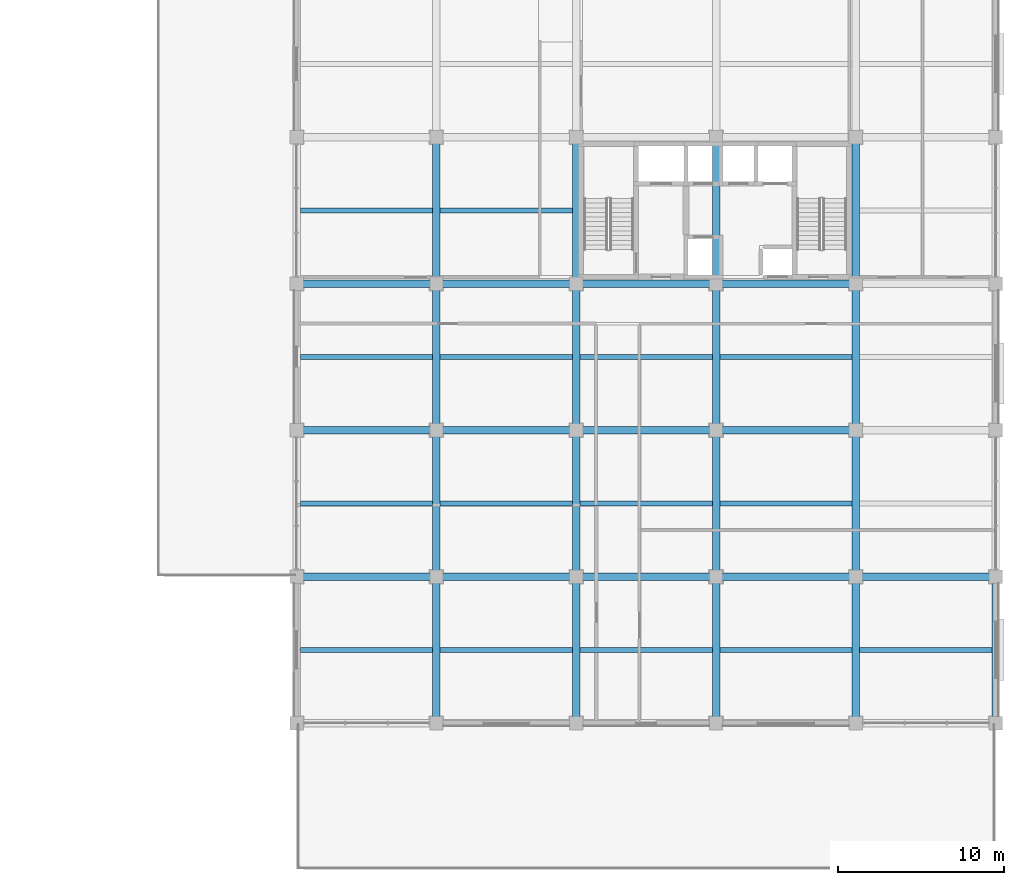
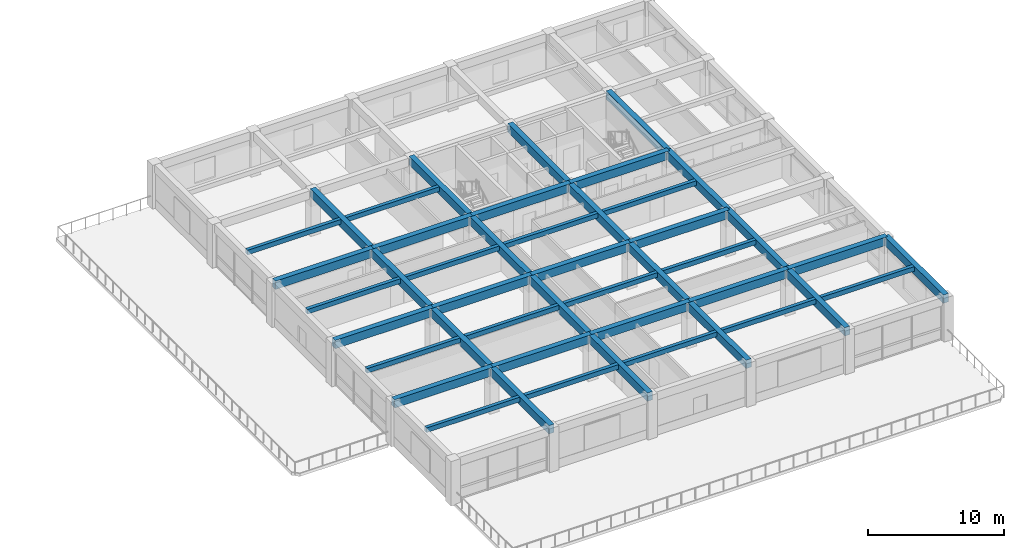
# One storey, part 28 of 49: 45 beams.
"""IFC4 building model written with IfcOpenShell, lengths in metres."""

from ifc_helpers import new_model, si_unit, direction, frame, origin, origin_2d, place, context, subcontext, project, spatial, rectangle, extrude, material, material_profile, profile_set, type_object, element, save


model = new_model("IFC4")

# Units and contexts
model_context = context("Model", 3, precision=1e-05, world=origin(), true_north=direction((0.0, 1.0)))
body_context = subcontext(model_context, "Body", "Model", "MODEL_VIEW")
ifc_project = project(units=[si_unit("LENGTHUNIT", "METRE"), si_unit("AREAUNIT", "SQUARE_METRE"), si_unit("VOLUMEUNIT", "CUBIC_METRE"), si_unit("PLANEANGLEUNIT", "RADIAN"), si_unit("MASSUNIT", "GRAM", prefix="KILO")], contexts=[model_context])

# Site, building, storey
site_placement = place(None, origin())
site = spatial("IfcSite", under=ifc_project, at=site_placement, CompositionType="ELEMENT")
building_placement = place(site_placement, origin())
building = spatial("IfcBuilding", under=site, at=building_placement, Name="Kemercrest Conservatory and Botanical Centre", CompositionType="ELEMENT")
storey_placement = place(building_placement, frame((0.0, 0.0, 13.199951171875)))
storey = spatial("IfcBuildingStorey", under=building, at=storey_placement, Name="L03", CompositionType="ELEMENT", Elevation=13.199951171875)

# Beams
ifc_material = material(Name="Concrete C40/50", Category="concrete")
ifc_material_profile_1 = material_profile(ifc_material, rectangle(XDim=0.449951171875, YDim=0.75, at=origin_2d()), Name="RC 450x750")
ifc_profile_set_1 = profile_set([ifc_material_profile_1], Name="Concrete C40/50")
beam_type_1 = type_object("IfcBeamType", Name="BM-RC75", PredefinedType="BEAM", material=ifc_profile_set_1)
beam_1_placement = place(storey_placement, frame((134.0, 87.199951171875, 3.625), z_axis=(1.0, 0.0, 0.0), x_axis=(0.0, 1.0, 0.0)))
element("IfcBeam", 1, at=beam_1_placement, inside=storey, type_object=beam_type_1, Name="V4-L04 beam BM-RC75 K/16-17", PredefinedType="BEAM", context=body_context, shape_type="SweptSolid", body=[
    extrude(rectangle(XDim=0.449951171875, YDim=0.75, at=origin_2d()), origin(), (0.0, 0.0, 1.0), 8.39990234375),
])
beam_2_placement = place(storey_placement, frame((142.39990234375, 87.199951171875, 3.625), z_axis=(1.0, 0.0, 0.0), x_axis=(0.0, 1.0, 0.0)))
element("IfcBeam", 2, at=beam_2_placement, inside=storey, type_object=beam_type_1, Name="V4-L04 beam BM-RC75 K/17-18", PredefinedType="BEAM", context=body_context, shape_type="SweptSolid", body=[
    extrude(rectangle(XDim=0.449951171875, YDim=0.75, at=origin_2d()), origin(), (0.0, 0.0, 1.0), 8.400146484375),
])
beam_3_placement = place(storey_placement, frame((150.800048828125, 87.199951171875, 3.625), z_axis=(1.0, 0.0, 0.0), x_axis=(0.0, 1.0, 0.0)))
element("IfcBeam", 3, at=beam_3_placement, inside=storey, type_object=beam_type_1, Name="V4-L04 beam BM-RC75 K/18-19", PredefinedType="BEAM", context=body_context, shape_type="SweptSolid", body=[
    extrude(rectangle(XDim=0.449951171875, YDim=0.75, at=origin_2d()), origin(), (0.0, 0.0, 1.0), 8.39990234375),
])
beam_4_placement = place(storey_placement, frame((159.199951171875, 87.199951171875, 3.625), z_axis=(1.0, 0.0, 0.0), x_axis=(0.0, 1.0, 0.0)))
element("IfcBeam", 4, at=beam_4_placement, inside=storey, type_object=beam_type_1, Name="V4-L04 beam BM-RC75 K/19-20", PredefinedType="BEAM", context=body_context, shape_type="SweptSolid", body=[
    extrude(rectangle(XDim=0.449951171875, YDim=0.75, at=origin_2d()), origin(), (0.0, 0.0, 1.0), 8.400146484375),
])
for number, where, z_axis, x_axis, name in (
    (5, (167.60009765625, 87.199951171875, 3.625), (1.0, 0.0, 0.0), (0.0, 1.0, 0.0), "V4-L04 beam BM-RC75 K/20-21"),
    (6, (134.0, 96.0, 3.625), (1.0, 0.0, 0.0), (0.0, 1.0, 0.0), "V4-L04 beam BM-RC75 L/16-17"),
):
    element("IfcBeam", number, at=place(storey_placement, frame(where, z_axis=z_axis, x_axis=x_axis)), inside=storey, type_object=beam_type_1, Name=name, PredefinedType="BEAM", context=body_context, shape_type="SweptSolid", body=[
        extrude(rectangle(XDim=0.449951171875, YDim=0.75, at=origin_2d()), origin(), (0.0, 0.0, 1.0), 8.39990234375),
    ])
beam_5_placement = place(storey_placement, frame((142.39990234375, 96.0, 3.625), z_axis=(1.0, 0.0, 0.0), x_axis=(0.0, 1.0, 0.0)))
element("IfcBeam", 7, at=beam_5_placement, inside=storey, type_object=beam_type_1, Name="V4-L04 beam BM-RC75 L/17-18", PredefinedType="BEAM", context=body_context, shape_type="SweptSolid", body=[
    extrude(rectangle(XDim=0.449951171875, YDim=0.75, at=origin_2d()), origin(), (0.0, 0.0, 1.0), 8.400146484375),
])
beam_6_placement = place(storey_placement, frame((150.800048828125, 96.0, 3.625), z_axis=(1.0, 0.0, 0.0), x_axis=(0.0, 1.0, 0.0)))
element("IfcBeam", 8, at=beam_6_placement, inside=storey, type_object=beam_type_1, Name="V4-L04 beam BM-RC75 L/18-19", PredefinedType="BEAM", context=body_context, shape_type="SweptSolid", body=[
    extrude(rectangle(XDim=0.449951171875, YDim=0.75, at=origin_2d()), origin(), (0.0, 0.0, 1.0), 8.39990234375),
])
beam_7_placement = place(storey_placement, frame((159.199951171875, 96.0, 3.625), z_axis=(1.0, 0.0, 0.0), x_axis=(0.0, 1.0, 0.0)))
element("IfcBeam", 9, at=beam_7_placement, inside=storey, type_object=beam_type_1, Name="V4-L04 beam BM-RC75 L/19-20", PredefinedType="BEAM", context=body_context, shape_type="SweptSolid", body=[
    extrude(rectangle(XDim=0.449951171875, YDim=0.75, at=origin_2d()), origin(), (0.0, 0.0, 1.0), 8.400146484375),
])
beam_8_placement = place(storey_placement, frame((134.0, 104.800048828125, 3.625), z_axis=(1.0, 0.0, 0.0), x_axis=(0.0, 1.0, 0.0)))
element("IfcBeam", 10, at=beam_8_placement, inside=storey, type_object=beam_type_1, Name="V4-L04 beam BM-RC75 M/16-17", PredefinedType="BEAM", context=body_context, shape_type="SweptSolid", body=[
    extrude(rectangle(XDim=0.449951171875, YDim=0.75, at=origin_2d()), origin(), (0.0, 0.0, 1.0), 8.39990234375),
])
beam_9_placement = place(storey_placement, frame((142.39990234375, 104.800048828125, 3.625), z_axis=(1.0, 0.0, 0.0), x_axis=(0.0, 1.0, 0.0)))
element("IfcBeam", 11, at=beam_9_placement, inside=storey, type_object=beam_type_1, Name="V4-L04 beam BM-RC75 M/17-18", PredefinedType="BEAM", context=body_context, shape_type="SweptSolid", body=[
    extrude(rectangle(XDim=0.449951171875, YDim=0.75, at=origin_2d()), origin(), (0.0, 0.0, 1.0), 8.400146484375),
])
beam_10_placement = place(storey_placement, frame((150.800048828125, 104.800048828125, 3.625), z_axis=(1.0, 0.0, 0.0), x_axis=(0.0, 1.0, 0.0)))
element("IfcBeam", 12, at=beam_10_placement, inside=storey, type_object=beam_type_1, Name="V4-L04 beam BM-RC75 M/18-19", PredefinedType="BEAM", context=body_context, shape_type="SweptSolid", body=[
    extrude(rectangle(XDim=0.449951171875, YDim=0.75, at=origin_2d()), origin(), (0.0, 0.0, 1.0), 8.39990234375),
])
beam_11_placement = place(storey_placement, frame((159.199951171875, 104.800048828125, 3.625), z_axis=(1.0, 0.0, 0.0), x_axis=(0.0, 1.0, 0.0)))
element("IfcBeam", 13, at=beam_11_placement, inside=storey, type_object=beam_type_1, Name="V4-L04 beam BM-RC75 M/19-20", PredefinedType="BEAM", context=body_context, shape_type="SweptSolid", body=[
    extrude(rectangle(XDim=0.449951171875, YDim=0.75, at=origin_2d()), origin(), (0.0, 0.0, 1.0), 8.400146484375),
])
for number, where, z_axis, x_axis, name in (
    (14, (142.39990234375, 78.39990234375, 3.625), (0.0, 1.0, 0.0), (-1.0, 0.0, 0.0), "V4-L04 beam BM-RC75 17/J-K"),
    (15, (142.39990234375, 87.199951171875, 3.625), (0.0, 1.0, 0.0), (-1.0, 0.0, 0.0), "V4-L04 beam BM-RC75 17/K-L"),
    (16, (142.39990234375, 96.0, 3.625), (0.0, 1.0, 0.0), (-1.0, 0.0, 0.0), "V4-L04 beam BM-RC75 17/L-M"),
    (17, (142.39990234375, 104.800048828125, 3.625), (0.0, 1.0, 0.0), (-1.0, 0.0, 0.0), "V4-L04 beam BM-RC75 17/M-N"),
    (18, (150.800048828125, 78.39990234375, 3.625), (0.0, 1.0, 0.0), (-1.0, 0.0, 0.0), "V4-L04 beam BM-RC75 18/J-K"),
    (19, (150.800048828125, 87.199951171875, 3.625), (0.0, 1.0, 0.0), (-1.0, 0.0, 0.0), "V4-L04 beam BM-RC75 18/K-L"),
    (20, (150.800048828125, 96.0, 3.625), (0.0, 1.0, 0.0), (-1.0, 0.0, 0.0), "V4-L04 beam BM-RC75 18/L-M"),
    (21, (150.800048828125, 104.800048828125, 3.625), (0.0, 1.0, 0.0), (-1.0, 0.0, 0.0), "V4-L04 beam BM-RC75 18/M-N"),
    (22, (159.199951171875, 78.39990234375, 3.625), (0.0, 1.0, 0.0), (-1.0, 0.0, 0.0), "V4-L04 beam BM-RC75 19/J-K"),
    (23, (159.199951171875, 87.199951171875, 3.625), (0.0, 1.0, 0.0), (-1.0, 0.0, 0.0), "V4-L04 beam BM-RC75 19/K-L"),
    (24, (159.199951171875, 96.0, 3.625), (0.0, 1.0, 0.0), (-1.0, 0.0, 0.0), "V4-L04 beam BM-RC75 19/L-M"),
    (25, (159.199951171875, 104.800048828125, 3.625), (0.0, 1.0, 0.0), (-1.0, 0.0, 0.0), "V4-L04 beam BM-RC75 19/M-N"),
    (26, (167.60009765625, 78.39990234375, 3.625), (0.0, 1.0, 0.0), (-1.0, 0.0, 0.0), "V4-L04 beam BM-RC75 20/J-K"),
    (27, (167.60009765625, 87.199951171875, 3.625), (0.0, 1.0, 0.0), (-1.0, 0.0, 0.0), "V4-L04 beam BM-RC75 20/K-L"),
    (28, (167.60009765625, 96.0, 3.625), (0.0, 1.0, 0.0), (-1.0, 0.0, 0.0), "V4-L04 beam BM-RC75 20/L-M"),
    (29, (167.60009765625, 104.800048828125, 3.625), (0.0, 1.0, 0.0), (-1.0, 0.0, 0.0), "V4-L04 beam BM-RC75 20/M-N"),
):
    element("IfcBeam", number, at=place(storey_placement, frame(where, z_axis=z_axis, x_axis=x_axis)), inside=storey, type_object=beam_type_1, Name=name, PredefinedType="BEAM", context=body_context, shape_type="SweptSolid", body=[
        extrude(rectangle(XDim=0.449951171875, YDim=0.75, at=origin_2d()), origin(), (0.0, 0.0, 1.0), 8.800048828125),
    ])
ifc_material_profile_2 = material_profile(ifc_material, rectangle(XDim=0.300048828125, YDim=0.419921875, at=origin_2d()), Name="RC 300x420")
ifc_profile_set_2 = profile_set([ifc_material_profile_2], Name="Concrete C40/50")
beam_type_2 = type_object("IfcBeamType", Name="JS-RC42", PredefinedType="JOIST", material=ifc_profile_set_2)
for number, where, z_axis, x_axis, name in (
    (30, (134.22509765625, 82.800048828125, 3.7900390625), (1.0, 0.0, 0.0), (0.0, 1.0, 0.0), "V4-L04 secondary joist JS-RC42"),
    (31, (142.625, 82.800048828125, 3.7900390625), (1.0, 0.0, 0.0), (0.0, 1.0, 0.0), "V4-L04 secondary joist JS-RC42"),
):
    element("IfcBeam", number, at=place(storey_placement, frame(where, z_axis=z_axis, x_axis=x_axis)), inside=storey, type_object=beam_type_2, Name=name, PredefinedType="JOIST", context=body_context, shape_type="SweptSolid", body=[
        extrude(rectangle(XDim=0.300048828125, YDim=0.419921875, at=origin_2d()), origin(), (0.0, 0.0, 1.0), 7.949951171875),
    ])
beam_12_placement = place(storey_placement, frame((151.02490234375, 82.800048828125, 3.7900390625), z_axis=(1.0, 0.0, 0.0), x_axis=(0.0, 1.0, 0.0)))
element("IfcBeam", 32, at=beam_12_placement, inside=storey, type_object=beam_type_2, Name="V4-L04 secondary joist JS-RC42", PredefinedType="JOIST", context=body_context, shape_type="SweptSolid", body=[
    extrude(rectangle(XDim=0.300048828125, YDim=0.419921875, at=origin_2d()), origin(), (0.0, 0.0, 1.0), 7.9501953125),
])
for number, where, z_axis, x_axis, name in (
    (33, (159.425048828125, 82.800048828125, 3.7900390625), (1.0, 0.0, 0.0), (0.0, 1.0, 0.0), "V4-L04 secondary joist JS-RC42"),
    (34, (167.824951171875, 82.800048828125, 3.7900390625), (1.0, 0.0, 0.0), (0.0, 1.0, 0.0), "V4-L04 secondary joist JS-RC42"),
    (35, (134.22509765625, 91.60009765625, 3.7900390625), (1.0, 0.0, 0.0), (0.0, 1.0, 0.0), "V4-L04 secondary joist JS-RC42"),
    (36, (142.625, 91.60009765625, 3.7900390625), (1.0, 0.0, 0.0), (0.0, 1.0, 0.0), "V4-L04 secondary joist JS-RC42"),
):
    element("IfcBeam", number, at=place(storey_placement, frame(where, z_axis=z_axis, x_axis=x_axis)), inside=storey, type_object=beam_type_2, Name=name, PredefinedType="JOIST", context=body_context, shape_type="SweptSolid", body=[
        extrude(rectangle(XDim=0.300048828125, YDim=0.419921875, at=origin_2d()), origin(), (0.0, 0.0, 1.0), 7.949951171875),
    ])
beam_13_placement = place(storey_placement, frame((151.02490234375, 91.60009765625, 3.7900390625), z_axis=(1.0, 0.0, 0.0), x_axis=(0.0, 1.0, 0.0)))
element("IfcBeam", 37, at=beam_13_placement, inside=storey, type_object=beam_type_2, Name="V4-L04 secondary joist JS-RC42", PredefinedType="JOIST", context=body_context, shape_type="SweptSolid", body=[
    extrude(rectangle(XDim=0.300048828125, YDim=0.419921875, at=origin_2d()), origin(), (0.0, 0.0, 1.0), 7.9501953125),
])
for number, where, z_axis, x_axis, name in (
    (38, (159.425048828125, 91.60009765625, 3.7900390625), (1.0, 0.0, 0.0), (0.0, 1.0, 0.0), "V4-L04 secondary joist JS-RC42"),
    (39, (134.22509765625, 100.39990234375, 3.7900390625), (1.0, 0.0, 0.0), (0.0, 1.0, 0.0), "V4-L04 secondary joist JS-RC42"),
    (40, (142.625, 100.39990234375, 3.7900390625), (1.0, 0.0, 0.0), (0.0, 1.0, 0.0), "V4-L04 secondary joist JS-RC42"),
):
    element("IfcBeam", number, at=place(storey_placement, frame(where, z_axis=z_axis, x_axis=x_axis)), inside=storey, type_object=beam_type_2, Name=name, PredefinedType="JOIST", context=body_context, shape_type="SweptSolid", body=[
        extrude(rectangle(XDim=0.300048828125, YDim=0.419921875, at=origin_2d()), origin(), (0.0, 0.0, 1.0), 7.949951171875),
    ])
beam_14_placement = place(storey_placement, frame((151.02490234375, 100.39990234375, 3.7900390625), z_axis=(1.0, 0.0, 0.0), x_axis=(0.0, 1.0, 0.0)))
element("IfcBeam", 41, at=beam_14_placement, inside=storey, type_object=beam_type_2, Name="V4-L04 secondary joist JS-RC42", PredefinedType="JOIST", context=body_context, shape_type="SweptSolid", body=[
    extrude(rectangle(XDim=0.300048828125, YDim=0.419921875, at=origin_2d()), origin(), (0.0, 0.0, 1.0), 7.9501953125),
])
for number, where, z_axis, x_axis, name in (
    (42, (159.425048828125, 100.39990234375, 3.7900390625), (1.0, 0.0, 0.0), (0.0, 1.0, 0.0), "V4-L04 secondary joist JS-RC42"),
    (43, (134.22509765625, 109.199951171875, 3.7900390625), (1.0, 0.0, 0.0), (0.0, 1.0, 0.0), "V4-L04 secondary joist JS-RC42"),
    (44, (142.625, 109.199951171875, 3.7900390625), (1.0, 0.0, 0.0), (0.0, 1.0, 0.0), "V4-L04 secondary joist JS-RC42"),
):
    element("IfcBeam", number, at=place(storey_placement, frame(where, z_axis=z_axis, x_axis=x_axis)), inside=storey, type_object=beam_type_2, Name=name, PredefinedType="JOIST", context=body_context, shape_type="SweptSolid", body=[
        extrude(rectangle(XDim=0.300048828125, YDim=0.419921875, at=origin_2d()), origin(), (0.0, 0.0, 1.0), 7.949951171875),
    ])
ifc_material_profile_3 = material_profile(ifc_material, rectangle(XDim=0.449951171875, YDim=0.75, at=origin_2d()), Name="RC 450x750")
ifc_profile_set_3 = profile_set([ifc_material_profile_3], Name="Concrete C40/50")
beam_type_3 = type_object("IfcBeamType", Name="SP-RC75", PredefinedType="SPANDREL", material=ifc_profile_set_3)
beam_15_placement = place(storey_placement, frame((176.0, 78.39990234375, 3.625), z_axis=(0.0, 1.0, 0.0), x_axis=(-1.0, 0.0, 0.0)))
element("IfcBeam", 45, at=beam_15_placement, inside=storey, type_object=beam_type_3, Name="V4-L04 beam SP-RC75 21/J-K", PredefinedType="SPANDREL", context=body_context, shape_type="SweptSolid", body=[
    extrude(rectangle(XDim=0.449951171875, YDim=0.75, at=origin_2d()), origin(), (0.0, 0.0, 1.0), 8.800048828125),
])

save(model, "model.ifc")
